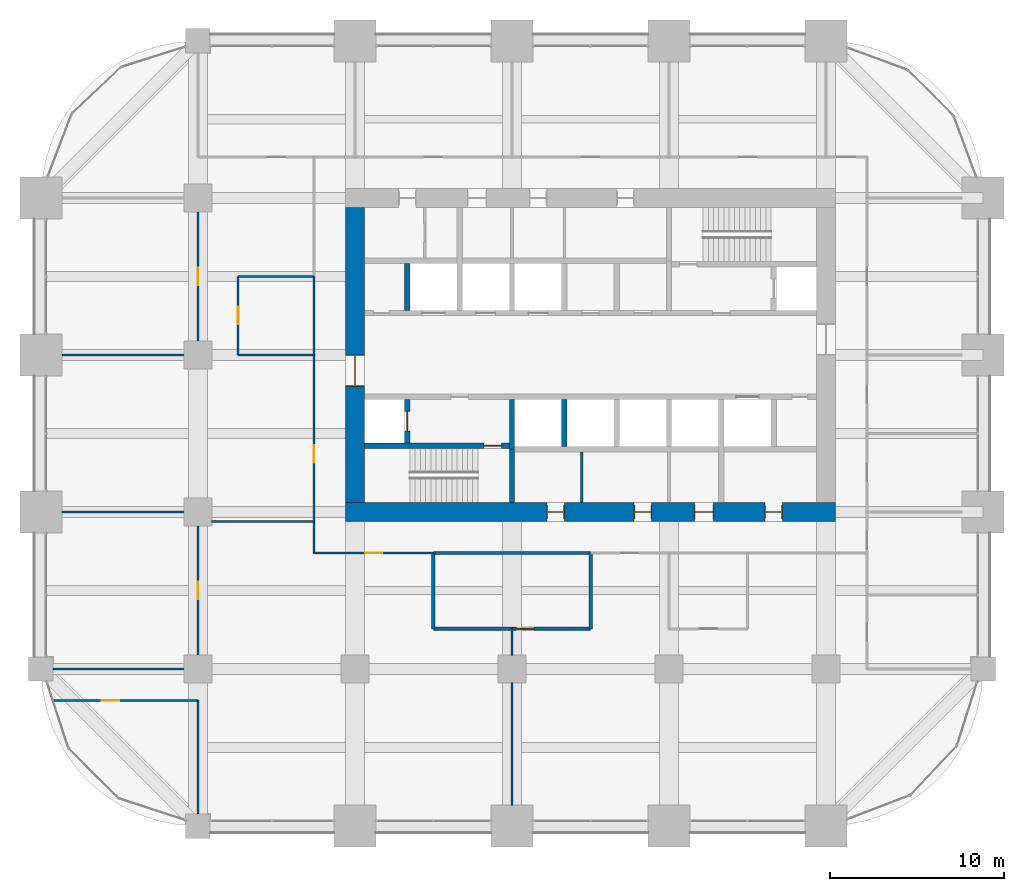
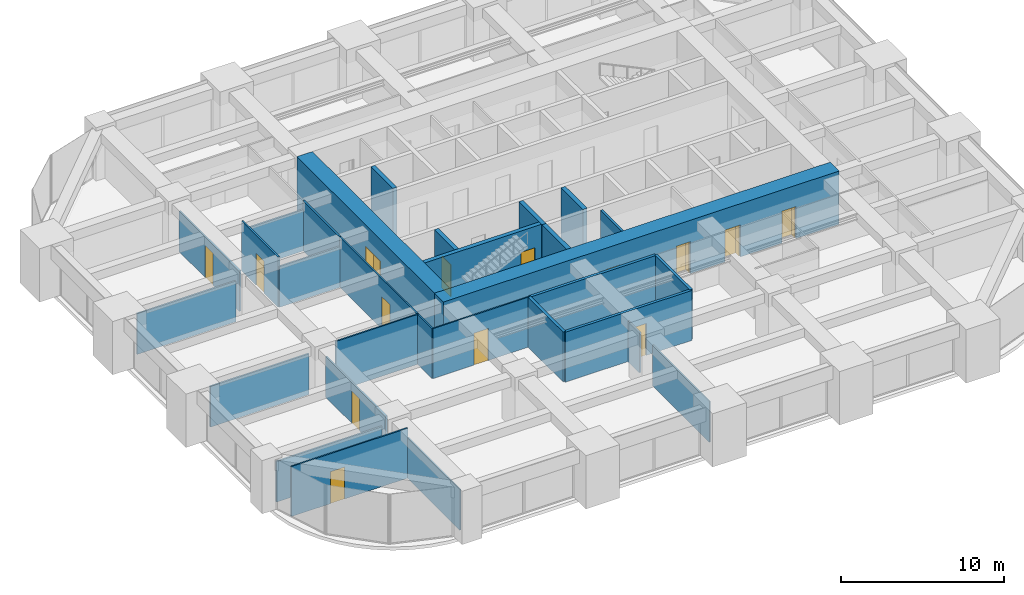
# One storey, part 29 of 32: 29 walls, 14 doors, 14 openings.
"""IFC4 building model written with IfcOpenShell, lengths in metres."""

from ifc_helpers import new_model, si_unit, direction, frame, frame_2d, origin, place, context, subcontext, project, spatial, rectangle, extrude, material, layer, layer_set, type_object, element, fill, save


model = new_model("IFC4")

# Units and contexts
model_context = context("Model", 3, precision=1e-05, world=origin(), true_north=direction((0.0, 1.0)))
body_context = subcontext(model_context, "Body", "Model", "MODEL_VIEW")
ifc_project = project(units=[si_unit("LENGTHUNIT", "METRE"), si_unit("AREAUNIT", "SQUARE_METRE"), si_unit("VOLUMEUNIT", "CUBIC_METRE"), si_unit("PLANEANGLEUNIT", "RADIAN"), si_unit("MASSUNIT", "GRAM", prefix="KILO")], contexts=[model_context])

# Site, building, storey
site_placement = place(None, origin())
site = spatial("IfcSite", under=ifc_project, at=site_placement, CompositionType="ELEMENT")
building_placement = place(site_placement, origin())
building = spatial("IfcBuilding", under=site, at=building_placement, Name="Zorevar Civic Tower", CompositionType="ELEMENT")
storey_placement = place(building_placement, frame((0.0, 0.0, 186.199951171875)))
storey = spatial("IfcBuildingStorey", under=building, at=storey_placement, Name="L45", CompositionType="ELEMENT", Elevation=186.199951171875)

# Wall, opening, door
ifc_material_1 = material(Name="Concrete blockwork", Category="masonry")
ifc_layer_1 = layer(ifc_material_1, 0.199951171875)
ifc_layer_set_1 = layer_set([ifc_layer_1], Name="Blockwork wall 200")
wall_type_1 = type_object("IfcWallType", Name="Blockwork wall 200", PredefinedType="SOLIDWALL", material=ifc_layer_set_1)
wall_1_placement = place(storey_placement, frame((22.5, 11.300048828125, 0.0), z_axis=(0.0, 0.0, 1.0), x_axis=(1.0, 0.0, 0.0)))
wall_1 = element("IfcWall", 1, at=wall_1_placement, inside=storey, type_object=wall_type_1, Name="Blockwork wall 200 L45", PredefinedType="SOLIDWALL", context=body_context, shape_type="SweptSolid", body=[
    extrude(rectangle(XDim=9.0, YDim=0.199951171875, at=frame_2d((4.5, 0.0))), origin(), (0.0, 0.0, 1.0), 3.75),
])
opening_1_placement = place(wall_1_placement, frame((4.75, 0.0, 0.0)))
opening_1 = element("IfcOpeningElement", 2, at=opening_1_placement, cuts=wall_1, Name="Opening L45.18", PredefinedType="OPENING", context=body_context, shape_type="SweptSolid", body=[
    extrude(rectangle(XDim=1.0, YDim=2.39990234375, at=frame_2d((0.5, 1.199951171875))), frame((0.0, 0.10986328125, 0.0), z_axis=(0.0, -1.0, 0.0), x_axis=(1.0, 0.0, 0.0)), (0.0, 0.0, 1.0), 0.219970703125),
])
ifc_material_2 = material(Name="Steel door set", Category="steel")
door_type_1 = type_object("IfcDoorType", Name="Security door SD1 1000x2400", OperationType="SINGLE_SWING_LEFT", PredefinedType="DOOR", material=ifc_material_2)
door_1_placement = place(opening_1_placement, origin())
door_1 = element("IfcDoor", 3, at=door_1_placement, inside=storey, type_object=door_type_1, Name="Door L45 D1", OperationType="SINGLE_SWING_RIGHT", OverallHeight=2.39990234375, OverallWidth=1.0, PredefinedType="DOOR", context=body_context, shape_type="SweptSolid", body=[
    extrude(rectangle(XDim=1.0, YDim=2.39990234375, at=frame_2d((0.5, 1.199951171875))), frame((0.0, 0.03515625, 0.0), z_axis=(0.0, -1.0, 0.0), x_axis=(1.0, 0.0, 0.0)), (0.0, 0.0, 1.0), 0.070068359375),
])
fill(opening_1, door_1)

# Walls
wall_2_placement = place(storey_placement, frame((22.5, 15.64990234375, 0.0), z_axis=(0.0, 0.0, 1.0), x_axis=(1.0, 0.0, 0.0)))
element("IfcWall", 4, at=wall_2_placement, inside=storey, type_object=wall_type_1, Name="Blockwork wall 200 L45", PredefinedType="SOLIDWALL", context=body_context, shape_type="SweptSolid", body=[
    extrude(rectangle(XDim=9.0, YDim=0.199951171875, at=frame_2d((4.5, 0.0))), origin(), (0.0, 0.0, 1.0), 3.75),
])
for number, where, z_axis, x_axis, name in (
    (5, (22.5, 11.300048828125, 0.0), (0.0, 0.0, 1.0), (0.0, 1.0, 0.0), "Blockwork wall 200 L45"),
    (6, (31.5, 11.300048828125, 0.0), (0.0, 0.0, 1.0), (0.0, 1.0, 0.0), "Blockwork wall 200 L45"),
):
    element("IfcWall", number, at=place(storey_placement, frame(where, z_axis=z_axis, x_axis=x_axis)), inside=storey, type_object=wall_type_1, Name=name, PredefinedType="SOLIDWALL", context=body_context, shape_type="SweptSolid", body=[
        extrude(rectangle(XDim=4.349853515625, YDim=0.199951171875, at=frame_2d((2.1748046875, 0.0))), origin(), (0.0, 0.0, 1.0), 3.75),
    ])

# Wall, openings, doors
ifc_material_3 = material(Name="Concrete C50/60", Category="concrete")
ifc_layer_2 = layer(ifc_material_3, 1.10009765625)
ifc_layer_set_2 = layer_set([ifc_layer_2], Name="Core wall 1100")
wall_type_2 = type_object("IfcWallType", Name="Core wall 1100", PredefinedType="SHEAR", material=ifc_layer_set_2)
wall_3_placement = place(storey_placement, frame((17.449951171875, 18.0, 0.0), z_axis=(0.0, 0.0, 1.0), x_axis=(1.0, 0.0, 0.0)))
wall_3 = element("IfcWall", 7, at=wall_3_placement, inside=storey, type_object=wall_type_2, Name="Core wall S L45", PredefinedType="SHEAR", context=body_context, shape_type="SweptSolid", body=[
    extrude(rectangle(XDim=28.10009765625, YDim=1.10009765625, at=frame_2d((14.050048828125, 0.0))), origin(), (0.0, 0.0, 1.0), 4.0),
])
opening_2_placement = place(wall_3_placement, frame((11.550048828125, 0.0, 0.0)))
opening_2 = element("IfcOpeningElement", 8, at=opening_2_placement, cuts=wall_3, Name="Opening L45.03", PredefinedType="OPENING", context=body_context, shape_type="SweptSolid", body=[
    extrude(rectangle(XDim=1.0, YDim=2.39990234375, at=frame_2d((0.5, 1.199951171875))), frame((0.0, 0.56005859375, 0.0), z_axis=(0.0, -1.0, 0.0), x_axis=(1.0, 0.0, 0.0)), (0.0, 0.0, 1.0), 1.1201171875),
])
opening_3_placement = place(wall_3_placement, frame((16.550048828125, 0.0, 0.0)))
opening_3 = element("IfcOpeningElement", 9, at=opening_3_placement, cuts=wall_3, Name="Opening L45.04", PredefinedType="OPENING", context=body_context, shape_type="SweptSolid", body=[
    extrude(rectangle(XDim=1.0, YDim=2.39990234375, at=frame_2d((0.5, 1.199951171875))), frame((0.0, 0.56005859375, 0.0), z_axis=(0.0, -1.0, 0.0), x_axis=(1.0, 0.0, 0.0)), (0.0, 0.0, 1.0), 1.1201171875),
])
opening_4_placement = place(wall_3_placement, frame((20.0, 0.0, 0.0)))
opening_4 = element("IfcOpeningElement", 10, at=opening_4_placement, cuts=wall_3, Name="Opening L45.05", PredefinedType="OPENING", context=body_context, shape_type="SweptSolid", body=[
    extrude(rectangle(XDim=1.10009765625, YDim=2.39990234375, at=frame_2d((0.550048828125, 1.199951171875))), frame((0.0, 0.56005859375, 0.0), z_axis=(0.0, -1.0, 0.0), x_axis=(1.0, 0.0, 0.0)), (0.0, 0.0, 1.0), 1.1201171875),
])
opening_5_placement = place(wall_3_placement, frame((24.050048828125, 0.0, 0.0)))
opening_5 = element("IfcOpeningElement", 11, at=opening_5_placement, cuts=wall_3, Name="Opening L45.06", PredefinedType="OPENING", context=body_context, shape_type="SweptSolid", body=[
    extrude(rectangle(XDim=1.0, YDim=2.39990234375, at=frame_2d((0.5, 1.199951171875))), frame((0.0, 0.56005859375, 0.0), z_axis=(0.0, -1.0, 0.0), x_axis=(1.0, 0.0, 0.0)), (0.0, 0.0, 1.0), 1.1201171875),
])
ifc_material_4 = material(Name="Timber door set", Category="wood")
door_type_2 = type_object("IfcDoorType", Name="Door D1 1000x2400", OperationType="SINGLE_SWING_LEFT", PredefinedType="DOOR", material=ifc_material_4)
door_2_placement = place(opening_2_placement, origin())
door_2 = element("IfcDoor", 12, at=door_2_placement, inside=storey, type_object=door_type_2, Name="Door L45 02", OperationType="SINGLE_SWING_RIGHT", OverallHeight=2.39990234375, OverallWidth=1.0, PredefinedType="DOOR", context=body_context, shape_type="SweptSolid", body=[
    extrude(rectangle(XDim=1.0, YDim=2.39990234375, at=frame_2d((0.5, 1.199951171875))), frame((0.0, 0.02490234375, 0.0), z_axis=(0.0, -1.0, 0.0), x_axis=(1.0, 0.0, 0.0)), (0.0, 0.0, 1.0), 0.050048828125),
    extrude(rectangle(XDim=0.04, YDim=2.39990234375, at=frame_2d((0.02001953125, 1.199951171875))), frame((0.0, 0.39990234375, 0.0), z_axis=(0.0, -1.0, 0.0), x_axis=(1.0, 0.0, 0.0)), (0.0, 0.0, 1.0), 0.800048828125),
    extrude(rectangle(XDim=0.04, YDim=2.39990234375, at=frame_2d((0.97998046875, 1.199951171875))), frame((0.0, 0.39990234375, 0.0), z_axis=(0.0, -1.0, 0.0), x_axis=(1.0, 0.0, 0.0)), (0.0, 0.0, 1.0), 0.800048828125),
    extrude(rectangle(XDim=1.0, YDim=0.04, at=frame_2d((0.5, 2.3798828125))), frame((0.0, 0.39990234375, 0.0), z_axis=(0.0, -1.0, 0.0), x_axis=(1.0, 0.0, 0.0)), (0.0, 0.0, 1.0), 0.800048828125),
])
fill(opening_2, door_2)
door_3_placement = place(opening_3_placement, origin())
door_3 = element("IfcDoor", 13, at=door_3_placement, inside=storey, type_object=door_type_2, Name="Door L45 03", OperationType="SINGLE_SWING_LEFT", OverallHeight=2.39990234375, OverallWidth=1.0, PredefinedType="DOOR", context=body_context, shape_type="SweptSolid", body=[
    extrude(rectangle(XDim=1.0, YDim=2.39990234375, at=frame_2d((0.5, 1.199951171875))), frame((0.0, 0.02490234375, 0.0), z_axis=(0.0, -1.0, 0.0), x_axis=(1.0, 0.0, 0.0)), (0.0, 0.0, 1.0), 0.050048828125),
    extrude(rectangle(XDim=0.04, YDim=2.39990234375, at=frame_2d((0.02001953125, 1.199951171875))), frame((0.0, 0.39990234375, 0.0), z_axis=(0.0, -1.0, 0.0), x_axis=(1.0, 0.0, 0.0)), (0.0, 0.0, 1.0), 0.800048828125),
    extrude(rectangle(XDim=0.04, YDim=2.39990234375, at=frame_2d((0.97998046875, 1.199951171875))), frame((0.0, 0.39990234375, 0.0), z_axis=(0.0, -1.0, 0.0), x_axis=(1.0, 0.0, 0.0)), (0.0, 0.0, 1.0), 0.800048828125),
    extrude(rectangle(XDim=1.0, YDim=0.04, at=frame_2d((0.5, 2.3798828125))), frame((0.0, 0.39990234375, 0.0), z_axis=(0.0, -1.0, 0.0), x_axis=(1.0, 0.0, 0.0)), (0.0, 0.0, 1.0), 0.800048828125),
])
fill(opening_3, door_3)
door_4_placement = place(opening_5_placement, origin())
door_4 = element("IfcDoor", 14, at=door_4_placement, inside=storey, type_object=door_type_2, Name="Door L45 05", OperationType="SINGLE_SWING_LEFT", OverallHeight=2.39990234375, OverallWidth=1.0, PredefinedType="DOOR", context=body_context, shape_type="SweptSolid", body=[
    extrude(rectangle(XDim=1.0, YDim=2.39990234375, at=frame_2d((0.5, 1.199951171875))), frame((0.0, 0.02490234375, 0.0), z_axis=(0.0, -1.0, 0.0), x_axis=(1.0, 0.0, 0.0)), (0.0, 0.0, 1.0), 0.050048828125),
    extrude(rectangle(XDim=0.04, YDim=2.39990234375, at=frame_2d((0.02001953125, 1.199951171875))), frame((0.0, 0.39990234375, 0.0), z_axis=(0.0, -1.0, 0.0), x_axis=(1.0, 0.0, 0.0)), (0.0, 0.0, 1.0), 0.800048828125),
    extrude(rectangle(XDim=0.04, YDim=2.39990234375, at=frame_2d((0.97998046875, 1.199951171875))), frame((0.0, 0.39990234375, 0.0), z_axis=(0.0, -1.0, 0.0), x_axis=(1.0, 0.0, 0.0)), (0.0, 0.0, 1.0), 0.800048828125),
    extrude(rectangle(XDim=1.0, YDim=0.04, at=frame_2d((0.5, 2.3798828125))), frame((0.0, 0.39990234375, 0.0), z_axis=(0.0, -1.0, 0.0), x_axis=(1.0, 0.0, 0.0)), (0.0, 0.0, 1.0), 0.800048828125),
])
fill(opening_5, door_4)
ifc_material_5 = material(Name="Timber door set", Category="wood")
door_type_3 = type_object("IfcDoorType", Name="Door D5 1100x2400", OperationType="SINGLE_SWING_LEFT", PredefinedType="DOOR", material=ifc_material_5)
door_5_placement = place(opening_4_placement, origin())
door_5 = element("IfcDoor", 15, at=door_5_placement, inside=storey, type_object=door_type_3, Name="Door L45 04", OperationType="SINGLE_SWING_LEFT", OverallHeight=2.39990234375, OverallWidth=1.10009765625, PredefinedType="DOOR", context=body_context, shape_type="SweptSolid", body=[
    extrude(rectangle(XDim=1.10009765625, YDim=2.39990234375, at=frame_2d((0.550048828125, 1.199951171875))), frame((0.0, 0.02490234375, 0.0), z_axis=(0.0, -1.0, 0.0), x_axis=(1.0, 0.0, 0.0)), (0.0, 0.0, 1.0), 0.050048828125),
    extrude(rectangle(XDim=0.04, YDim=2.39990234375, at=frame_2d((0.02001953125, 1.199951171875))), frame((0.0, 0.43994140625, 0.0), z_axis=(0.0, -1.0, 0.0), x_axis=(1.0, 0.0, 0.0)), (0.0, 0.0, 1.0), 0.880126953125),
    extrude(rectangle(XDim=0.04, YDim=2.39990234375, at=frame_2d((1.080078125, 1.199951171875))), frame((0.0, 0.43994140625, 0.0), z_axis=(0.0, -1.0, 0.0), x_axis=(1.0, 0.0, 0.0)), (0.0, 0.0, 1.0), 0.880126953125),
    extrude(rectangle(XDim=1.10009765625, YDim=0.04, at=frame_2d((0.550048828125, 2.3798828125))), frame((0.0, 0.43994140625, 0.0), z_axis=(0.0, -1.0, 0.0), x_axis=(1.0, 0.0, 0.0)), (0.0, 0.0, 1.0), 0.880126953125),
])
fill(opening_4, door_5)

# Wall, opening, door
wall_4_placement = place(storey_placement, frame((18.0, 35.449951171875, 0.0), z_axis=(0.0, 0.0, 1.0), x_axis=(0.0, -1.0, 0.0)))
wall_4 = element("IfcWall", 16, at=wall_4_placement, inside=storey, type_object=wall_type_2, Name="Core wall W L45", PredefinedType="SHEAR", context=body_context, shape_type="SweptSolid", body=[
    extrude(rectangle(XDim=16.89990234375, YDim=1.10009765625, at=frame_2d((8.449951171875, 0.0))), origin(), (0.0, 0.0, 1.0), 4.0),
])
opening_6_placement = place(wall_4_placement, frame((8.449951171875, 0.0, 0.0)))
opening_6 = element("IfcOpeningElement", 17, at=opening_6_placement, cuts=wall_4, Name="Opening L45.01", PredefinedType="OPENING", context=body_context, shape_type="SweptSolid", body=[
    extrude(rectangle(XDim=1.800048828125, YDim=2.39990234375, at=frame_2d((0.89990234375, 1.199951171875))), frame((0.0, 0.56005859375, 0.0), z_axis=(0.0, -1.0, 0.0), x_axis=(1.0, 0.0, 0.0)), (0.0, 0.0, 1.0), 1.1201171875),
])
ifc_material_6 = material(Name="Steel door set", Category="steel")
door_type_4 = type_object("IfcDoorType", Name="Fire door FD2 1800x2400", OperationType="DOUBLE_DOOR_DOUBLE_SWING", PredefinedType="DOOR", material=ifc_material_6)
door_6_placement = place(opening_6_placement, origin())
door_6 = element("IfcDoor", 18, at=door_6_placement, inside=storey, type_object=door_type_4, Name="Door L45 00", OperationType="DOUBLE_DOOR_DOUBLE_SWING", OverallHeight=2.39990234375, OverallWidth=1.800048828125, PredefinedType="DOOR", context=body_context, shape_type="SweptSolid", body=[
    extrude(rectangle(XDim=1.800048828125, YDim=2.39990234375, at=frame_2d((0.89990234375, 1.199951171875))), frame((0.0, 0.030029296875, 0.0), z_axis=(0.0, -1.0, 0.0), x_axis=(1.0, 0.0, 0.0)), (0.0, 0.0, 1.0), 0.06005859375),
    extrude(rectangle(XDim=0.04, YDim=2.39990234375, at=frame_2d((0.02001953125, 1.199951171875))), frame((0.0, 0.5498046875, 0.0), z_axis=(0.0, -1.0, 0.0), x_axis=(1.0, 0.0, 0.0)), (0.0, 0.0, 1.0), 1.099609375),
    extrude(rectangle(XDim=0.04, YDim=2.39990234375, at=frame_2d((1.780029296875, 1.199951171875))), frame((0.0, 0.5498046875, 0.0), z_axis=(0.0, -1.0, 0.0), x_axis=(1.0, 0.0, 0.0)), (0.0, 0.0, 1.0), 1.099609375),
    extrude(rectangle(XDim=1.800048828125, YDim=0.04, at=frame_2d((0.89990234375, 2.3798828125))), frame((0.0, 0.5498046875, 0.0), z_axis=(0.0, -1.0, 0.0), x_axis=(1.0, 0.0, 0.0)), (0.0, 0.0, 1.0), 1.099609375),
])
fill(opening_6, door_6)

ifc_material_7 = material(Name="Laminated glass in black aluminium frame", Category="aluminium")
ifc_layer_3 = layer(ifc_material_7, 0.10009765625)
ifc_layer_set_3 = layer_set([ifc_layer_3], Name="Glazed partition 100")
wall_type_3 = type_object("IfcWallType", Name="Glazed partition 100", PredefinedType="PARTITIONING", material=ifc_layer_set_3)
wall_5_placement = place(storey_placement, frame((0.720458984375, 7.199951171875, 0.0), z_axis=(0.0, 0.0, 1.0), x_axis=(1.0, 0.0, 0.0)))
wall_5 = element("IfcWall", 19, at=wall_5_placement, inside=storey, type_object=wall_type_3, Name="Glazed partition 100 L45", PredefinedType="PARTITIONING", context=body_context, shape_type="SweptSolid", body=[
    extrude(rectangle(XDim=8.279541015625, YDim=0.10009765625, at=frame_2d((4.1396484375, 0.0))), origin(), (0.0, 0.0, 1.0), 3.75),
])
opening_7_placement = place(wall_5_placement, frame((2.779541015625, 0.0, 0.0)))
opening_7 = element("IfcOpeningElement", 20, at=opening_7_placement, cuts=wall_5, Name="Opening L45.17", PredefinedType="OPENING", context=body_context, shape_type="SweptSolid", body=[
    extrude(rectangle(XDim=1.0, YDim=2.39990234375, at=frame_2d((0.5, 1.199951171875))), frame((0.0, 0.06005859375, 0.0), z_axis=(0.0, -1.0, 0.0), x_axis=(1.0, 0.0, 0.0)), (0.0, 0.0, 1.0), 0.1201171875),
])
ifc_material_8 = material(Name="Timber door set", Category="wood")
door_type_5 = type_object("IfcDoorType", Name="Glazed door GD1 1000x2400", OperationType="SINGLE_SWING_LEFT", PredefinedType="DOOR", material=ifc_material_8)
door_7_placement = place(opening_7_placement, origin())
door_7 = element("IfcDoor", 21, at=door_7_placement, inside=storey, type_object=door_type_5, Name="Door L45 D1", OperationType="SINGLE_SWING_RIGHT", OverallHeight=2.39990234375, OverallWidth=1.0, PredefinedType="DOOR", context=body_context, shape_type="SweptSolid", body=[
    extrude(rectangle(XDim=1.0, YDim=2.39990234375, at=frame_2d((0.5, 1.199951171875))), frame((0.0, 0.02001953125, 0.0), z_axis=(0.0, -1.0, 0.0), x_axis=(1.0, 0.0, 0.0)), (0.0, 0.0, 1.0), 0.0400390625),
])
fill(opening_7, door_7)

wall_6_placement = place(storey_placement, frame((15.64990234375, 15.64990234375, 0.0), z_axis=(0.0, 0.0, 1.0), x_axis=(1.0, 0.0, 0.0)))
wall_6 = element("IfcWall", 22, at=wall_6_placement, inside=storey, type_object=wall_type_3, Name="Glazed partition 100 L45", PredefinedType="PARTITIONING", context=body_context, shape_type="SweptSolid", body=[
    extrude(rectangle(XDim=6.85009765625, YDim=0.10009765625, at=frame_2d((3.425048828125, 0.0))), origin(), (0.0, 0.0, 1.0), 3.75),
])
opening_8_placement = place(wall_6_placement, frame((2.925048828125, 0.0, 0.0)))
opening_8 = element("IfcOpeningElement", 23, at=opening_8_placement, cuts=wall_6, Name="Opening L45.20", PredefinedType="OPENING", context=body_context, shape_type="SweptSolid", body=[
    extrude(rectangle(XDim=1.0, YDim=2.39990234375, at=frame_2d((0.5, 1.199951171875))), frame((0.0, 0.06005859375, 0.0), z_axis=(0.0, -1.0, 0.0), x_axis=(1.0, 0.0, 0.0)), (0.0, 0.0, 1.0), 0.1201171875),
])
door_8_placement = place(opening_8_placement, origin())
door_8 = element("IfcDoor", 24, at=door_8_placement, inside=storey, type_object=door_type_5, Name="Door L45 D1", OperationType="SINGLE_SWING_RIGHT", OverallHeight=2.39990234375, OverallWidth=1.0, PredefinedType="DOOR", context=body_context, shape_type="SweptSolid", body=[
    extrude(rectangle(XDim=1.0, YDim=2.39990234375, at=frame_2d((0.5, 1.199951171875))), frame((0.0, 0.02001953125, 0.0), z_axis=(0.0, -1.0, 0.0), x_axis=(1.0, 0.0, 0.0)), (0.0, 0.0, 1.0), 0.0400390625),
])
fill(opening_8, door_8)

# Walls
wall_7_placement = place(storey_placement, frame((9.800048828125, 17.449951171875, 0.0), z_axis=(0.0, 0.0, 1.0), x_axis=(1.0, 0.0, 0.0)))
element("IfcWall", 25, at=wall_7_placement, inside=storey, type_object=wall_type_3, Name="Glazed partition 100 L45", PredefinedType="PARTITIONING", context=body_context, shape_type="SweptSolid", body=[
    extrude(rectangle(XDim=5.849853515625, YDim=0.10009765625, at=frame_2d((2.9248046875, 0.0))), origin(), (0.0, 0.0, 1.0), 3.75),
])
wall_8_placement = place(storey_placement, frame((9.0, 0.699951171875, 0.0), z_axis=(0.0, 0.0, 1.0), x_axis=(0.0, 1.0, 0.0)))
element("IfcWall", 26, at=wall_8_placement, inside=storey, type_object=wall_type_3, Name="Glazed partition 100 L45", PredefinedType="PARTITIONING", context=body_context, shape_type="SweptSolid", body=[
    extrude(rectangle(XDim=6.5, YDim=0.10009765625, at=frame_2d((3.25, 0.0))), origin(), (0.0, 0.0, 1.0), 3.050048828125),
])

# Wall, opening, door
wall_9_placement = place(storey_placement, frame((15.64990234375, 15.64990234375, 0.0), z_axis=(0.0, 0.0, 1.0), x_axis=(0.0, 1.0, 0.0)))
wall_9 = element("IfcWall", 27, at=wall_9_placement, inside=storey, type_object=wall_type_3, Name="Glazed partition 100 L45", PredefinedType="PARTITIONING", context=body_context, shape_type="SweptSolid", body=[
    extrude(rectangle(XDim=11.35009765625, YDim=0.10009765625, at=frame_2d((5.675048828125, 0.0))), origin(), (0.0, 0.0, 1.0), 3.75),
])
opening_9_placement = place(wall_9_placement, frame((5.175048828125, 0.0, 0.0)))
opening_9 = element("IfcOpeningElement", 28, at=opening_9_placement, cuts=wall_9, Name="Opening L45.30", PredefinedType="OPENING", context=body_context, shape_type="SweptSolid", body=[
    extrude(rectangle(XDim=1.0, YDim=2.39990234375, at=frame_2d((0.5, 1.199951171875))), frame((0.0, 0.06005859375, 0.0), z_axis=(0.0, -1.0, 0.0), x_axis=(1.0, 0.0, 0.0)), (0.0, 0.0, 1.0), 0.1201171875),
])
door_9_placement = place(opening_9_placement, origin())
door_9 = element("IfcDoor", 29, at=door_9_placement, inside=storey, type_object=door_type_5, Name="Door L45 D1", OperationType="SINGLE_SWING_RIGHT", OverallHeight=2.39990234375, OverallWidth=1.0, PredefinedType="DOOR", context=body_context, shape_type="SweptSolid", body=[
    extrude(rectangle(XDim=1.0, YDim=2.39990234375, at=frame_2d((0.5, 1.199951171875))), frame((0.0, 0.02001953125, 0.0), z_axis=(0.0, -1.0, 0.0), x_axis=(1.0, 0.0, 0.0)), (0.0, 0.0, 1.0), 0.0400390625),
])
fill(opening_9, door_9)

# Walls
wall_10_placement = place(storey_placement, frame((27.0, 1.199951171875, 0.0), z_axis=(0.0, 0.0, 1.0), x_axis=(0.0, 1.0, 0.0)))
element("IfcWall", 30, at=wall_10_placement, inside=storey, type_object=wall_type_3, Name="Glazed partition 100 L45", PredefinedType="PARTITIONING", context=body_context, shape_type="SweptSolid", body=[
    extrude(rectangle(XDim=7.0, YDim=0.10009765625, at=frame_2d((3.5, 0.0))), origin(), (0.0, 0.0, 1.0), 3.050048828125),
])
wall_11_placement = place(storey_placement, frame((27.0, 9.800048828125, 0.0), z_axis=(0.0, 0.0, 1.0), x_axis=(0.0, 1.0, 0.0)))
element("IfcWall", 31, at=wall_11_placement, inside=storey, type_object=wall_type_3, Name="Glazed partition 100 L45", PredefinedType="PARTITIONING", context=body_context, shape_type="SweptSolid", body=[
    extrude(rectangle(XDim=1.510009765625, YDim=0.10009765625, at=frame_2d((0.7548828125, 0.0))), origin(), (0.0, 0.0, 1.0), 3.050048828125),
])

# Wall, opening, door
ifc_material_9 = material(Name="Concrete C40/50", Category="concrete")
ifc_layer_4 = layer(ifc_material_9, 0.300048828125)
ifc_layer_set_4 = layer_set([ifc_layer_4], Name="Inner core wall 300")
wall_type_4 = type_object("IfcWallType", Name="Inner core wall 300", PredefinedType="SHEAR", material=ifc_layer_set_4)
wall_12_placement = place(storey_placement, frame((18.550048828125, 21.800048828125, 0.0), z_axis=(0.0, 0.0, 1.0), x_axis=(1.0, 0.0, 0.0)))
wall_12 = element("IfcWall", 32, at=wall_12_placement, inside=storey, type_object=wall_type_4, Name="Inner core wall S00 L45", PredefinedType="SHEAR", context=body_context, shape_type="SweptSolid", body=[
    extrude(rectangle(XDim=8.300048828125, YDim=0.300048828125, at=frame_2d((4.14990234375, 0.0))), origin(), (0.0, 0.0, 1.0), 4.0),
])
opening_10_placement = place(wall_12_placement, frame((6.85009765625, 0.0, 0.0)))
opening_10 = element("IfcOpeningElement", 33, at=opening_10_placement, cuts=wall_12, Name="Opening L45.11", PredefinedType="OPENING", context=body_context, shape_type="SweptSolid", body=[
    extrude(rectangle(XDim=1.0, YDim=2.39990234375, at=frame_2d((0.5, 1.199951171875))), frame((0.0, 0.159912109375, 0.0), z_axis=(0.0, -1.0, 0.0), x_axis=(1.0, 0.0, 0.0)), (0.0, 0.0, 1.0), 0.320068359375),
])
ifc_material_10 = material(Name="Steel door set", Category="steel")
door_type_6 = type_object("IfcDoorType", Name="Fire door FD1 1000x2400", OperationType="SINGLE_SWING_LEFT", PredefinedType="DOOR", material=ifc_material_10)
door_10_placement = place(opening_10_placement, origin())
door_10 = element("IfcDoor", 34, at=door_10_placement, inside=storey, type_object=door_type_6, Name="Door L45 10", OperationType="SINGLE_SWING_RIGHT", OverallHeight=2.39990234375, OverallWidth=1.0, PredefinedType="DOOR", context=body_context, shape_type="SweptSolid", body=[
    extrude(rectangle(XDim=1.0, YDim=2.39990234375, at=frame_2d((0.5, 1.199951171875))), frame((0.0, 0.030029296875, 0.0), z_axis=(0.0, -1.0, 0.0), x_axis=(1.0, 0.0, 0.0)), (0.0, 0.0, 1.0), 0.06005859375),
])
fill(opening_10, door_10)

# Wall
wall_13_placement = place(storey_placement, frame((27.0, 18.550048828125, 0.0), z_axis=(0.0, 0.0, 1.0), x_axis=(0.0, 1.0, 0.0)))
element("IfcWall", 35, at=wall_13_placement, inside=storey, type_object=wall_type_4, Name="Inner core wall S01 L45", PredefinedType="SHEAR", context=body_context, shape_type="SweptSolid", body=[
    extrude(rectangle(XDim=3.050048828125, YDim=0.300048828125, at=frame_2d((1.52490234375, 0.0))), origin(), (0.0, 0.0, 1.0), 4.0),
])

# Wall, opening, door
wall_14_placement = place(storey_placement, frame((21.0, 21.949951171875, 0.0), z_axis=(0.0, 0.0, 1.0), x_axis=(0.0, 1.0, 0.0)))
wall_14 = element("IfcWall", 36, at=wall_14_placement, inside=storey, type_object=wall_type_4, Name="Inner core wall S02 L45", PredefinedType="SHEAR", context=body_context, shape_type="SweptSolid", body=[
    extrude(rectangle(XDim=2.5, YDim=0.300048828125, at=frame_2d((1.25, 0.0))), origin(), (0.0, 0.0, 1.0), 4.0),
])
opening_11_placement = place(wall_14_placement, frame((0.699951171875, 0.0, 0.0)))
opening_11 = element("IfcOpeningElement", 37, at=opening_11_placement, cuts=wall_14, Name="Opening L45.FL1", PredefinedType="OPENING", context=body_context, shape_type="SweptSolid", body=[
    extrude(rectangle(XDim=1.10009765625, YDim=2.39990234375, at=frame_2d((0.550048828125, 1.199951171875))), frame((0.0, 0.159912109375, 0.0), z_axis=(0.0, -1.0, 0.0), x_axis=(1.0, 0.0, 0.0)), (0.0, 0.0, 1.0), 0.320068359375),
])
ifc_material_11 = material(Name="Steel door set", Category="steel")
door_type_7 = type_object("IfcDoorType", Name="Firefighting lift landing door LD3 1100x2400", OperationType="DOUBLE_DOOR_SLIDING", PredefinedType="DOOR", material=ifc_material_11)
door_11_placement = place(opening_11_placement, origin())
door_11 = element("IfcDoor", 38, at=door_11_placement, inside=storey, type_object=door_type_7, Name="Landing door FL1 L45", OperationType="DOUBLE_DOOR_SLIDING", OverallHeight=2.39990234375, OverallWidth=1.10009765625, PredefinedType="DOOR", context=body_context, shape_type="SweptSolid", body=[
    extrude(rectangle(XDim=1.10009765625, YDim=2.39990234375, at=frame_2d((0.550048828125, 1.199951171875))), frame((0.0, 0.030029296875, 0.0), z_axis=(0.0, -1.0, 0.0), x_axis=(1.0, 0.0, 0.0)), (0.0, 0.0, 1.0), 0.06005859375),
])
fill(opening_11, door_11)

# Walls
for number, where, z_axis, x_axis, name in (
    (39, (30.0, 21.75, 0.0), (0.0, 0.0, 1.0), (0.0, 1.0, 0.0), "Inner core wall S05 L45"),
    (40, (21.0, 29.550048828125, 0.0), (0.0, 0.0, 1.0), (0.0, 1.0, 0.0), "Inner core wall N09 L45"),
):
    element("IfcWall", number, at=place(storey_placement, frame(where, z_axis=z_axis, x_axis=x_axis)), inside=storey, type_object=wall_type_4, Name=name, PredefinedType="SHEAR", context=body_context, shape_type="SweptSolid", body=[
        extrude(rectangle(XDim=2.699951171875, YDim=0.300048828125, at=frame_2d((1.35009765625, 0.0))), origin(), (0.0, 0.0, 1.0), 4.0),
    ])
wall_15_placement = place(storey_placement, frame((27.0, 21.60009765625, 0.0), z_axis=(0.0, 0.0, 1.0), x_axis=(0.0, 1.0, 0.0)))
element("IfcWall", 41, at=wall_15_placement, inside=storey, type_object=wall_type_4, Name="Inner core wall S10 L45", PredefinedType="SHEAR", context=body_context, shape_type="SweptSolid", body=[
    extrude(rectangle(XDim=2.849853515625, YDim=0.300048828125, at=frame_2d((1.4248046875, 0.0))), origin(), (0.0, 0.0, 1.0), 4.0),
])
ifc_material_12 = material(Name="Gypsum board on steel studs", Category="steel")
ifc_layer_5 = layer(ifc_material_12, 0.1201171875)
ifc_layer_set_5 = layer_set([ifc_layer_5], Name="Partition 120")
wall_type_5 = type_object("IfcWallType", Name="Partition 120", PredefinedType="PARTITIONING", material=ifc_layer_set_5)
wall_16_placement = place(storey_placement, frame((0.699951171875, 9.0, 0.0), z_axis=(0.0, 0.0, 1.0), x_axis=(1.0, 0.0, 0.0)))
element("IfcWall", 42, at=wall_16_placement, inside=storey, type_object=wall_type_5, Name="Partition 120 L45", PredefinedType="PARTITIONING", context=body_context, shape_type="SweptSolid", body=[
    extrude(rectangle(XDim=7.5, YDim=0.1201171875, at=frame_2d((3.75, 0.0))), origin(), (0.0, 0.0, 1.0), 3.050048828125),
])
for number, where, z_axis, x_axis, name in (
    (43, (1.199951171875, 18.0, 0.0), (0.0, 0.0, 1.0), (1.0, 0.0, 0.0), "Partition 120 L45"),
    (44, (1.199951171875, 27.0, 0.0), (0.0, 0.0, 1.0), (1.0, 0.0, 0.0), "Partition 120 L45"),
):
    element("IfcWall", number, at=place(storey_placement, frame(where, z_axis=z_axis, x_axis=x_axis)), inside=storey, type_object=wall_type_5, Name=name, PredefinedType="PARTITIONING", context=body_context, shape_type="SweptSolid", body=[
        extrude(rectangle(XDim=7.0, YDim=0.1201171875, at=frame_2d((3.5, 0.0))), origin(), (0.0, 0.0, 1.0), 3.050048828125),
    ])
wall_17_placement = place(storey_placement, frame((11.300048828125, 27.0, 0.0), z_axis=(0.0, 0.0, 1.0), x_axis=(1.0, 0.0, 0.0)))
element("IfcWall", 45, at=wall_17_placement, inside=storey, type_object=wall_type_5, Name="Partition 120 L45", PredefinedType="PARTITIONING", context=body_context, shape_type="SweptSolid", body=[
    extrude(rectangle(XDim=4.349853515625, YDim=0.1201171875, at=frame_2d((2.1748046875, 0.0))), origin(), (0.0, 0.0, 1.0), 3.050048828125),
])
wall_18_placement = place(storey_placement, frame((11.300048828125, 31.5, 0.0), z_axis=(0.0, 0.0, 1.0), x_axis=(1.0, 0.0, 0.0)))
element("IfcWall", 46, at=wall_18_placement, inside=storey, type_object=wall_type_5, Name="Partition 120 L45", PredefinedType="PARTITIONING", context=body_context, shape_type="SweptSolid", body=[
    extrude(rectangle(XDim=4.349853515625, YDim=0.1201171875, at=frame_2d((2.1748046875, 0.0))), origin(), (0.0, 0.0, 1.0), 3.10009765625),
])

# Wall, opening, door
wall_19_placement = place(storey_placement, frame((9.0, 9.800048828125, 0.0), z_axis=(0.0, 0.0, 1.0), x_axis=(0.0, 1.0, 0.0)))
wall_19 = element("IfcWall", 47, at=wall_19_placement, inside=storey, type_object=wall_type_5, Name="Partition 120 L45", PredefinedType="PARTITIONING", context=body_context, shape_type="SweptSolid", body=[
    extrude(rectangle(XDim=7.39990234375, YDim=0.1201171875, at=frame_2d((3.699951171875, 0.0))), origin(), (0.0, 0.0, 1.0), 3.050048828125),
])
opening_12_placement = place(wall_19_placement, frame((3.199951171875, 0.0, 0.0)))
opening_12 = element("IfcOpeningElement", 48, at=opening_12_placement, cuts=wall_19, Name="Opening L45.27", PredefinedType="OPENING", context=body_context, shape_type="SweptSolid", body=[
    extrude(rectangle(XDim=1.0, YDim=2.39990234375, at=frame_2d((0.5, 1.199951171875))), frame((0.0, 0.070068359375, 0.0), z_axis=(0.0, -1.0, 0.0), x_axis=(1.0, 0.0, 0.0)), (0.0, 0.0, 1.0), 0.14013671875),
])
door_12_placement = place(opening_12_placement, origin())
door_12 = element("IfcDoor", 49, at=door_12_placement, inside=storey, type_object=door_type_2, Name="Door L45 D1", OperationType="SINGLE_SWING_RIGHT", OverallHeight=2.39990234375, OverallWidth=1.0, PredefinedType="DOOR", context=body_context, shape_type="SweptSolid", body=[
    extrude(rectangle(XDim=1.0, YDim=2.39990234375, at=frame_2d((0.5, 1.199951171875))), frame((0.0, 0.02490234375, 0.0), z_axis=(0.0, -1.0, 0.0), x_axis=(1.0, 0.0, 0.0)), (0.0, 0.0, 1.0), 0.050048828125),
])
fill(opening_12, door_12)

wall_20_placement = place(storey_placement, frame((9.0, 27.800048828125, 0.0), z_axis=(0.0, 0.0, 1.0), x_axis=(0.0, 1.0, 0.0)))
wall_20 = element("IfcWall", 50, at=wall_20_placement, inside=storey, type_object=wall_type_5, Name="Partition 120 L45", PredefinedType="PARTITIONING", context=body_context, shape_type="SweptSolid", body=[
    extrude(rectangle(XDim=7.39990234375, YDim=0.1201171875, at=frame_2d((3.699951171875, 0.0))), origin(), (0.0, 0.0, 1.0), 3.050048828125),
])
opening_13_placement = place(wall_20_placement, frame((3.199951171875, 0.0, 0.0)))
opening_13 = element("IfcOpeningElement", 51, at=opening_13_placement, cuts=wall_20, Name="Opening L45.28", PredefinedType="OPENING", context=body_context, shape_type="SweptSolid", body=[
    extrude(rectangle(XDim=1.0, YDim=2.39990234375, at=frame_2d((0.5, 1.199951171875))), frame((0.0, 0.070068359375, 0.0), z_axis=(0.0, -1.0, 0.0), x_axis=(1.0, 0.0, 0.0)), (0.0, 0.0, 1.0), 0.14013671875),
])
door_13_placement = place(opening_13_placement, origin())
door_13 = element("IfcDoor", 52, at=door_13_placement, inside=storey, type_object=door_type_2, Name="Door L45 D1", OperationType="SINGLE_SWING_LEFT", OverallHeight=2.39990234375, OverallWidth=1.0, PredefinedType="DOOR", context=body_context, shape_type="SweptSolid", body=[
    extrude(rectangle(XDim=1.0, YDim=2.39990234375, at=frame_2d((0.5, 1.199951171875))), frame((0.0, 0.02490234375, 0.0), z_axis=(0.0, -1.0, 0.0), x_axis=(1.0, 0.0, 0.0)), (0.0, 0.0, 1.0), 0.050048828125),
])
fill(opening_13, door_13)

wall_21_placement = place(storey_placement, frame((11.300048828125, 27.0, 0.0), z_axis=(0.0, 0.0, 1.0), x_axis=(0.0, 1.0, 0.0)))
wall_21 = element("IfcWall", 53, at=wall_21_placement, inside=storey, type_object=wall_type_5, Name="Partition 120 L45", PredefinedType="PARTITIONING", context=body_context, shape_type="SweptSolid", body=[
    extrude(rectangle(XDim=4.5, YDim=0.1201171875, at=frame_2d((2.25, 0.0))), origin(), (0.0, 0.0, 1.0), 3.75),
])
opening_14_placement = place(wall_21_placement, frame((1.75, 0.0, 0.0)))
opening_14 = element("IfcOpeningElement", 54, at=opening_14_placement, cuts=wall_21, Name="Opening L45.29", PredefinedType="OPENING", context=body_context, shape_type="SweptSolid", body=[
    extrude(rectangle(XDim=1.0, YDim=2.39990234375, at=frame_2d((0.5, 1.199951171875))), frame((0.0, 0.070068359375, 0.0), z_axis=(0.0, -1.0, 0.0), x_axis=(1.0, 0.0, 0.0)), (0.0, 0.0, 1.0), 0.14013671875),
])
door_14_placement = place(opening_14_placement, origin())
door_14 = element("IfcDoor", 55, at=door_14_placement, inside=storey, type_object=door_type_2, Name="Door L45 D1", OperationType="SINGLE_SWING_LEFT", OverallHeight=2.39990234375, OverallWidth=1.0, PredefinedType="DOOR", context=body_context, shape_type="SweptSolid", body=[
    extrude(rectangle(XDim=1.0, YDim=2.39990234375, at=frame_2d((0.5, 1.199951171875))), frame((0.0, 0.02490234375, 0.0), z_axis=(0.0, -1.0, 0.0), x_axis=(1.0, 0.0, 0.0)), (0.0, 0.0, 1.0), 0.050048828125),
])
fill(opening_14, door_14)

# Walls
wall_22_placement = place(storey_placement, frame((15.64990234375, 27.0, 0.0), z_axis=(0.0, 0.0, 1.0), x_axis=(0.0, 1.0, 0.0)))
element("IfcWall", 56, at=wall_22_placement, inside=storey, type_object=wall_type_5, Name="Partition 120 L45", PredefinedType="PARTITIONING", context=body_context, shape_type="SweptSolid", body=[
    extrude(rectangle(XDim=4.5, YDim=0.1201171875, at=frame_2d((2.25, 0.0))), origin(), (0.0, 0.0, 1.0), 3.75),
])
ifc_material_13 = material(Name="Gypsum board on steel studs, moisture resistant", Category="steel")
ifc_layer_6 = layer(ifc_material_13, 0.14990234375)
ifc_layer_set_6 = layer_set([ifc_layer_6], Name="WC partition 150")
wall_type_6 = type_object("IfcWallType", Name="WC partition 150", PredefinedType="PARTITIONING", material=ifc_layer_set_6)
wall_23_placement = place(storey_placement, frame((31.0, 18.550048828125, 0.0), z_axis=(0.0, 0.0, 1.0), x_axis=(0.0, 1.0, 0.0)))
element("IfcWall", 57, at=wall_23_placement, inside=storey, type_object=wall_type_6, Name="WC partition L45", PredefinedType="PARTITIONING", context=body_context, shape_type="SweptSolid", body=[
    extrude(rectangle(XDim=2.89990234375, YDim=0.14990234375, at=frame_2d((1.449951171875, 0.0))), origin(), (0.0, 0.0, 1.0), 3.75),
])

save(model, "model.ifc")
